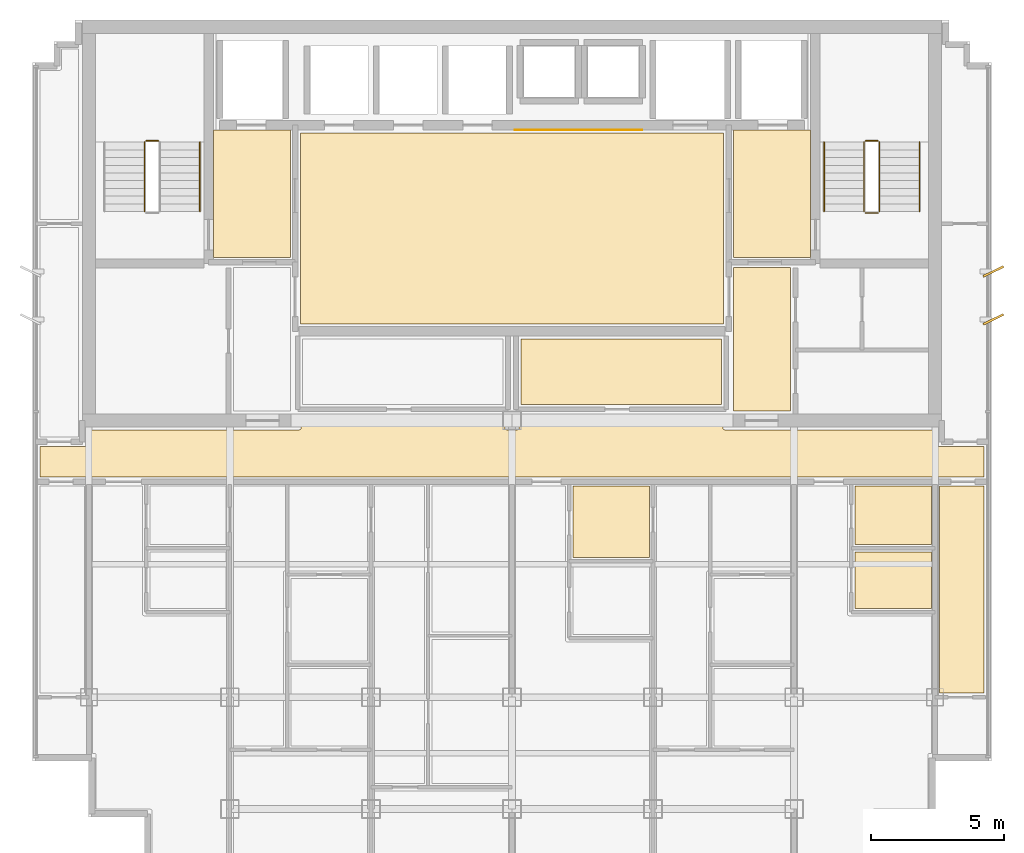
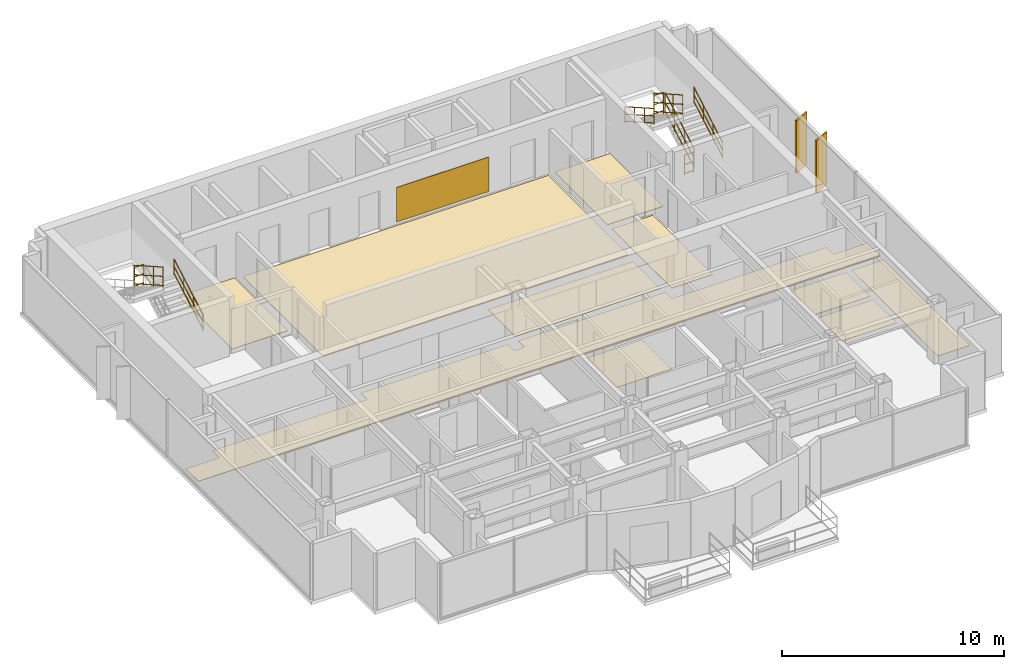
# One storey, part 11 of 11: 11 coverings, 9 railings, 2 shading devices.
"""IFC4 building model written with IfcOpenShell, lengths in metres."""

from ifc_helpers import new_model, si_unit, direction, frame, origin, origin_2d, place, context, subcontext, project, spatial, polyline, rectangle, circle, outline, extrude, source, transform, mapped, material, layer, layer_set, type_object, element, save


model = new_model("IFC4")

# Units and contexts
model_context = context("Model", 3, precision=1e-05, world=origin(), true_north=direction((0.0, 1.0)))
body_context = subcontext(model_context, "Body", "Model", "MODEL_VIEW")
ifc_project = project(units=[si_unit("LENGTHUNIT", "METRE"), si_unit("AREAUNIT", "SQUARE_METRE"), si_unit("VOLUMEUNIT", "CUBIC_METRE"), si_unit("PLANEANGLEUNIT", "RADIAN"), si_unit("MASSUNIT", "GRAM", prefix="KILO")], contexts=[model_context])

# Site, building, storey
site_placement = place(None, origin())
site = spatial("IfcSite", under=ifc_project, at=site_placement, CompositionType="ELEMENT")
building_placement = place(site_placement, origin())
building = spatial("IfcBuilding", under=site, at=building_placement, Name="Qianlan Lanfeng Residences", CompositionType="ELEMENT")
storey_placement = place(building_placement, frame((0.0, 0.0, 256.10009765625)))
storey = spatial("IfcBuildingStorey", under=building, at=storey_placement, Name="L71", CompositionType="ELEMENT", Elevation=256.10009765625)

# Coverings
ifc_material_1 = material(Name="Anodised Bronze Feature Wall Cladding")
ifc_layer_1 = layer(ifc_material_1, 0.02490234375)
ifc_layer_set_1 = layer_set([ifc_layer_1], Name="Anodised Bronze Feature Wall Cladding")
covering_type_1 = type_object("IfcCoveringType", Name="CLD-BRZ-25", PredefinedType="CLADDING", material=ifc_layer_set_1)
covering_1_placement = place(storey_placement, frame((0.0, 0.0, 0.14990234375)))
element("IfcCovering", 1, at=covering_1_placement, inside=storey, type_object=covering_type_1, Name="L71 Lift Lobby Bronze Feature Cladding", PredefinedType="CLADDING", context=body_context, shape_type="SweptSolid", body=[
    extrude(outline(polyline([(26.60009765625, 36.10009765625), (31.39990234375, 36.10009765625), (31.39990234375, 36.125), (26.60009765625, 36.125), (26.60009765625, 36.10009765625)])), origin(), (0.0, 0.0, 1.0), 1.89990234375),
])
ifc_material_2 = material(Name="Honed Taitung Granite Stone Flooring", Category="masonry")
ifc_layer_2 = layer(ifc_material_2, 0.030029296875)
ifc_layer_set_2 = layer_set([ifc_layer_2], Name="Honed Taitung Granite Stone Flooring")
covering_type_2 = type_object("IfcCoveringType", Name="FLR-STN-30", PredefinedType="FLOORING", material=ifc_layer_set_2)
covering_2_placement = place(storey_placement, origin())
element("IfcCovering", 2, at=covering_2_placement, inside=storey, type_object=covering_type_2, Name="L71 Firefighting Lift Lobby Floor Finish", PredefinedType="FLOORING", context=body_context, shape_type="SweptSolid", body=[
    extrude(outline(polyline([(15.2900390625, 31.320068359375), (18.179931640625, 31.320068359375), (18.179931640625, 36.110107421875), (15.2900390625, 36.110107421875), (15.2900390625, 31.320068359375)])), origin(), (0.0, 0.0, 1.0), 0.02978515625),
])
covering_3_placement = place(storey_placement, origin())
element("IfcCovering", 3, at=covering_3_placement, inside=storey, type_object=covering_type_2, Name="L71 Firefighting Lift Lobby Floor Finish", PredefinedType="FLOORING", context=body_context, shape_type="SweptSolid", body=[
    extrude(outline(polyline([(34.820068359375, 31.320068359375), (37.7099609375, 31.320068359375), (37.7099609375, 36.110107421875), (34.820068359375, 36.110107421875), (34.820068359375, 31.320068359375)])), origin(), (0.0, 0.0, 1.0), 0.02978515625),
])
covering_4_placement = place(storey_placement, origin())
element("IfcCovering", 4, at=covering_4_placement, inside=storey, type_object=covering_type_2, Name="L71 Lift Lobby Floor Finish", PredefinedType="FLOORING", context=body_context, shape_type="SweptSolid", body=[
    extrude(outline(polyline([(18.550048828125, 28.820068359375), (34.449951171875, 28.820068359375), (34.449951171875, 36.010009765625), (18.550048828125, 36.010009765625), (18.550048828125, 28.820068359375)])), origin(), (0.0, 0.0, 1.0), 0.02978515625),
])
covering_5_placement = place(storey_placement, origin())
element("IfcCovering", 5, at=covering_5_placement, inside=storey, type_object=covering_type_2, Name="L71 Residential Corridor Floor Finish", PredefinedType="FLOORING", context=body_context, shape_type="SweptSolid", body=[
    extrude(outline(polyline([(8.77001953125, 23.080078125), (44.22998046875, 23.080078125), (44.22998046875, 24.219970703125), (42.5400390625, 24.219970703125), (42.532958984375, 24.219970703125), (42.52587890625, 24.220947265625), (42.52001953125, 24.222900390625), (42.512939453125, 24.22509765625), (42.507080078125, 24.22802734375), (42.5009765625, 24.23193359375), (42.49609375, 24.236083984375), (42.490966796875, 24.240966796875), (42.486083984375, 24.24609375), (42.48193359375, 24.2509765625), (42.47802734375, 24.257080078125), (42.47509765625, 24.262939453125), (42.472900390625, 24.27001953125), (42.470947265625, 24.27587890625), (42.469970703125, 24.282958984375), (42.469970703125, 24.2900390625), (42.469970703125, 24.85009765625), (34.5, 24.85009765625), (34.492919921875, 24.85009765625), (34.486083984375, 24.85107421875), (34.47998046875, 24.85302734375), (34.472900390625, 24.85498046875), (34.467041015625, 24.85791015625), (34.4609375, 24.862060546875), (34.4560546875, 24.865966796875), (34.450927734375, 24.87109375), (34.446044921875, 24.8759765625), (34.44189453125, 24.881103515625), (34.43798828125, 24.886962890625), (34.43505859375, 24.89306640625), (34.43310546875, 24.89990234375), (34.430908203125, 24.906005859375), (34.429931640625, 24.9130859375), (34.429931640625, 24.919921875), (34.429931640625, 25.429931640625), (26.77001953125, 25.429931640625), (26.77001953125, 24.919921875), (26.77001953125, 24.9130859375), (26.76904296875, 24.906005859375), (26.76708984375, 24.89990234375), (26.764892578125, 24.89306640625), (26.761962890625, 24.886962890625), (26.758056640625, 24.881103515625), (26.75390625, 24.8759765625), (26.7490234375, 24.87109375), (26.743896484375, 24.865966796875), (26.739013671875, 24.862060546875), (26.73291015625, 24.85791015625), (26.72705078125, 24.85498046875), (26.719970703125, 24.85302734375), (26.714111328125, 24.85107421875), (26.70703125, 24.85009765625), (26.699951171875, 24.85009765625), (26.300048828125, 24.85009765625), (26.29296875, 24.85009765625), (26.285888671875, 24.85107421875), (26.280029296875, 24.85302734375), (26.27294921875, 24.85498046875), (26.26708984375, 24.85791015625), (26.260986328125, 24.862060546875), (26.256103515625, 24.865966796875), (26.2509765625, 24.87109375), (26.24609375, 24.8759765625), (26.241943359375, 24.881103515625), (26.238037109375, 24.886962890625), (26.235107421875, 24.89306640625), (26.23291015625, 24.89990234375), (26.23095703125, 24.906005859375), (26.22998046875, 24.9130859375), (26.22998046875, 24.919921875), (26.22998046875, 25.429931640625), (18.570068359375, 25.429931640625), (18.570068359375, 24.919921875), (18.570068359375, 24.9130859375), (18.569091796875, 24.906005859375), (18.56689453125, 24.89990234375), (18.56494140625, 24.89306640625), (18.56201171875, 24.886962890625), (18.55810546875, 24.881103515625), (18.553955078125, 24.8759765625), (18.549072265625, 24.87109375), (18.5439453125, 24.865966796875), (18.5390625, 24.862060546875), (18.532958984375, 24.85791015625), (18.527099609375, 24.85498046875), (18.52001953125, 24.85302734375), (18.513916015625, 24.85107421875), (18.507080078125, 24.85009765625), (18.5, 24.85009765625), (10.530029296875, 24.85009765625), (10.530029296875, 24.2900390625), (10.530029296875, 24.282958984375), (10.529052734375, 24.27587890625), (10.527099609375, 24.27001953125), (10.52490234375, 24.262939453125), (10.52197265625, 24.257080078125), (10.51806640625, 24.2509765625), (10.513916015625, 24.24609375), (10.509033203125, 24.240966796875), (10.50390625, 24.236083984375), (10.4990234375, 24.23193359375), (10.492919921875, 24.22802734375), (10.487060546875, 24.22509765625), (10.47998046875, 24.222900390625), (10.47412109375, 24.220947265625), (10.467041015625, 24.219970703125), (10.4599609375, 24.219970703125), (8.77001953125, 24.219970703125), (8.77001953125, 23.080078125)])), origin(), (0.0, 0.0, 1.0), 0.02978515625),
])
covering_6_placement = place(storey_placement, origin())
element("IfcCovering", 6, at=covering_6_placement, inside=storey, type_object=covering_type_2, Name="L71 Lift Lobby Floor Finish", PredefinedType="FLOORING", context=body_context, shape_type="SweptSolid", body=[
    extrude(outline(polyline([(34.830078125, 25.56005859375), (36.969970703125, 25.56005859375), (36.969970703125, 30.949951171875), (34.830078125, 30.949951171875), (34.830078125, 25.56005859375)])), origin(), (0.0, 0.0, 1.0), 0.02978515625),
])
ifc_material_3 = material(Name="Slip-Resistant Porcelain Tile Flooring")
ifc_layer_3 = layer(ifc_material_3, 0.02001953125)
ifc_layer_set_3 = layer_set([ifc_layer_3], Name="Slip-Resistant Porcelain Tile Flooring")
covering_type_3 = type_object("IfcCoveringType", Name="FLR-TIL-20", PredefinedType="FLOORING", material=ifc_layer_set_3)
covering_7_placement = place(storey_placement, origin())
element("IfcCovering", 7, at=covering_7_placement, inside=storey, type_object=covering_type_3, Name="L71 Bathroom Floor Finish", PredefinedType="FLOORING", context=body_context, shape_type="SweptSolid", body=[
    extrude(outline(polyline([(28.7900390625, 20.050048828125), (31.659912109375, 20.050048828125), (31.659912109375, 22.72998046875), (28.7900390625, 22.72998046875), (28.7900390625, 20.050048828125)])), origin(), (0.0, 0.0, 1.0), 0.02001953125),
])
covering_8_placement = place(storey_placement, origin())
element("IfcCovering", 8, at=covering_8_placement, inside=storey, type_object=covering_type_3, Name="L71 Kitchen Floor Finish", PredefinedType="FLOORING", context=body_context, shape_type="SweptSolid", body=[
    extrude(outline(polyline([(39.389892578125, 18.139892578125), (42.260009765625, 18.139892578125), (42.260009765625, 20.260009765625), (39.389892578125, 20.260009765625), (39.389892578125, 18.139892578125)])), origin(), (0.0, 0.0, 1.0), 0.02001953125),
])
covering_9_placement = place(storey_placement, origin())
element("IfcCovering", 9, at=covering_9_placement, inside=storey, type_object=covering_type_3, Name="L71 Bathroom Floor Finish", PredefinedType="FLOORING", context=body_context, shape_type="SweptSolid", body=[
    extrude(outline(polyline([(39.389892578125, 20.5400390625), (42.260009765625, 20.5400390625), (42.260009765625, 22.72998046875), (39.389892578125, 22.72998046875), (39.389892578125, 20.5400390625)])), origin(), (0.0, 0.0, 1.0), 0.02001953125),
])
ifc_material_4 = material(Name="Engineered Smoked Oak Timber Flooring", Category="wood")
ifc_layer_4 = layer(ifc_material_4, 0.02197265625)
ifc_layer_set_4 = layer_set([ifc_layer_4], Name="Engineered Smoked Oak Timber Flooring")
covering_type_4 = type_object("IfcCoveringType", Name="FLR-TIM-22", PredefinedType="FLOORING", material=ifc_layer_set_4)
covering_10_placement = place(storey_placement, origin())
element("IfcCovering", 10, at=covering_10_placement, inside=storey, type_object=covering_type_4, Name="L71 Panoramic Sky Foyer Salon Floor Finish", PredefinedType="FLOORING", context=body_context, shape_type="SweptSolid", body=[
    extrude(outline(polyline([(26.830078125, 25.800048828125), (34.3701171875, 25.800048828125), (34.3701171875, 28.2548828125), (26.830078125, 28.2548828125), (26.830078125, 25.800048828125)])), origin(), (0.0, 0.0, 1.0), 0.02197265625),
])
covering_11_placement = place(storey_placement, origin())
element("IfcCovering", 11, at=covering_11_placement, inside=storey, type_object=covering_type_4, Name="L71 Private Study Floor Finish", PredefinedType="FLOORING", context=body_context, shape_type="SweptSolid", body=[
    extrude(outline(polyline([(44.22998046875, 22.72998046875), (42.56005859375, 22.72998046875), (42.56005859375, 14.949951171875), (44.22998046875, 14.949951171875), (44.22998046875, 22.72998046875)])), origin(), (0.0, 0.0, 1.0), 0.02197265625),
])

# Railings
ifc_material_5 = material(Name="Painted Galvanised Steel Guardrail", Category="steel")
railing_type_1 = type_object("IfcRailingType", Name="GR-ST-1120", PredefinedType="GUARDRAIL", material=ifc_material_5)
railing_1_placement = place(storey_placement, frame((13.219970703125, 35.7099609375, 1.64990234375)))
element("IfcRailing", 12, at=railing_1_placement, inside=storey, type_object=railing_type_1, Name="L71 ST-1 stair guard 2", PredefinedType="GUARDRAIL", context=body_context, shape_type="SweptSolid", body=[
    extrude(circle(Radius=0.02392578125, at=origin_2d()), frame((0.0, 0.0, 0.083984375), z_axis=(-1.0, 0.0, 0.0), x_axis=(0.0, -1.0, 0.0)), (0.0, 0.0, 1.0), 0.47998046875),
    extrude(circle(Radius=0.02392578125, at=origin_2d()), frame((0.0, 0.0, 0.58251953125), z_axis=(-1.0, 0.0, 0.0), x_axis=(0.0, -1.0, 0.0)), (0.0, 0.0, 1.0), 0.47998046875),
    extrude(circle(Radius=0.02392578125, at=origin_2d()), frame((0.0, 0.0, 1.09619140625), z_axis=(-1.0, 0.0, 0.0), x_axis=(0.0, -1.0, 0.0)), (0.0, 0.0, 1.0), 0.47998046875),
    extrude(circle(Radius=0.02099609375, at=origin_2d()), origin(), (0.0, 0.0, 1.0), 1.072021484375),
    extrude(circle(Radius=0.02099609375, at=origin_2d()), frame((-0.47998046875, 0.0, 0.0)), (0.0, 0.0, 1.0), 1.072021484375),
])
railing_2_placement = place(storey_placement, frame((12.68994140625, 35.659912109375, 1.81494140625)))
element("IfcRailing", 13, at=railing_2_placement, inside=storey, type_object=railing_type_1, Name="L71 ST-1 stair guard 3", PredefinedType="GUARDRAIL", context=body_context, shape_type="SweptSolid", body=[
    extrude(circle(Radius=0.02392578125, at=origin_2d()), frame((0.0, 0.0, 0.083984375), z_axis=(0.0, -0.869172267526, 0.494509422927), x_axis=(1.0, 0.0, 0.0)), (0.0, 0.0, 1.0), 3.002685546875),
    extrude(circle(Radius=0.02392578125, at=origin_2d()), frame((0.0, 0.0, 0.58251953125), z_axis=(0.0, -0.869172267526, 0.494509422927), x_axis=(1.0, 0.0, 0.0)), (0.0, 0.0, 1.0), 3.002685546875),
    extrude(circle(Radius=0.02392578125, at=origin_2d()), frame((0.0, 0.0, 1.09619140625), z_axis=(0.0, -0.869172267526, 0.494509422927), x_axis=(1.0, 0.0, 0.0)), (0.0, 0.0, 1.0), 3.002685546875),
    extrude(circle(Radius=0.02099609375, at=origin_2d()), origin(), (0.0, 0.0, 1.0), 1.072021484375),
    extrude(circle(Radius=0.02099609375, at=origin_2d()), frame((0.0, -0.869873046875, 0.494873046875)), (0.0, 0.0, 1.0), 1.072021484375),
    extrude(circle(Radius=0.02099609375, at=origin_2d()), frame((0.0, -1.739990234375, 0.989990234375)), (0.0, 0.0, 1.0), 1.072021484375),
    extrude(circle(Radius=0.02099609375, at=origin_2d()), frame((0.0, -2.60986328125, 1.48486328125)), (0.0, 0.0, 1.0), 1.072021484375),
])
railing_3_placement = place(storey_placement, frame((40.31005859375, 33.050048828125, 0.164794921875)))
element("IfcRailing", 14, at=railing_3_placement, inside=storey, type_object=railing_type_1, Name="L71 ST-2 stair guard 1", PredefinedType="GUARDRAIL", context=body_context, shape_type="SweptSolid", body=[
    extrude(circle(Radius=0.02392578125, at=origin_2d()), frame((0.0, 0.0, 0.083984375), z_axis=(0.0, 0.869137319866, 0.494570843475), x_axis=(-1.0, 0.0, 0.0)), (0.0, 0.0, 1.0), 3.0029296875),
    extrude(circle(Radius=0.02392578125, at=origin_2d()), frame((0.0, 0.0, 0.58251953125), z_axis=(0.0, 0.869137319866, 0.494570843475), x_axis=(-1.0, 0.0, 0.0)), (0.0, 0.0, 1.0), 3.0029296875),
    extrude(circle(Radius=0.02392578125, at=origin_2d()), frame((0.0, 0.0, 1.09619140625), z_axis=(0.0, 0.869137319866, 0.494570843475), x_axis=(-1.0, 0.0, 0.0)), (0.0, 0.0, 1.0), 3.0029296875),
    extrude(circle(Radius=0.02099609375, at=origin_2d()), origin(), (0.0, 0.0, 1.0), 1.072021484375),
    extrude(circle(Radius=0.02099609375, at=origin_2d()), frame((0.0, 0.869873046875, 0.4951171875)), (0.0, 0.0, 1.0), 1.072021484375),
    extrude(circle(Radius=0.02099609375, at=origin_2d()), frame((0.0, 1.739990234375, 0.989990234375)), (0.0, 0.0, 1.0), 1.072021484375),
    extrude(circle(Radius=0.02099609375, at=origin_2d()), frame((0.0, 2.60986328125, 1.485107421875)), (0.0, 0.0, 1.0), 1.072021484375),
])
railing_4_placement = place(storey_placement, frame((40.260009765625, 35.7099609375, 1.64990234375)))
element("IfcRailing", 15, at=railing_4_placement, inside=storey, type_object=railing_type_1, Name="L71 ST-2 stair guard 2", PredefinedType="GUARDRAIL", context=body_context, shape_type="SweptSolid", body=[
    extrude(circle(Radius=0.02392578125, at=origin_2d()), frame((0.0, 0.0, 0.083984375), z_axis=(-1.0, 0.0, 0.0), x_axis=(0.0, -1.0, 0.0)), (0.0, 0.0, 1.0), 0.47998046875),
    extrude(circle(Radius=0.02392578125, at=origin_2d()), frame((0.0, 0.0, 0.58251953125), z_axis=(-1.0, 0.0, 0.0), x_axis=(0.0, -1.0, 0.0)), (0.0, 0.0, 1.0), 0.47998046875),
    extrude(circle(Radius=0.02392578125, at=origin_2d()), frame((0.0, 0.0, 1.09619140625), z_axis=(-1.0, 0.0, 0.0), x_axis=(0.0, -1.0, 0.0)), (0.0, 0.0, 1.0), 0.47998046875),
    extrude(circle(Radius=0.02099609375, at=origin_2d()), origin(), (0.0, 0.0, 1.0), 1.072021484375),
    extrude(circle(Radius=0.02099609375, at=origin_2d()), frame((-0.47998046875, 0.0, 0.0)), (0.0, 0.0, 1.0), 1.072021484375),
])
railing_5_placement = place(storey_placement, frame((39.72998046875, 35.659912109375, 1.81494140625)))
element("IfcRailing", 16, at=railing_5_placement, inside=storey, type_object=railing_type_1, Name="L71 ST-2 stair guard 3", PredefinedType="GUARDRAIL", context=body_context, shape_type="SweptSolid", body=[
    extrude(circle(Radius=0.02392578125, at=origin_2d()), frame((0.0, 0.0, 0.083984375), z_axis=(0.0, -0.869172267526, 0.494509422927), x_axis=(1.0, 0.0, 0.0)), (0.0, 0.0, 1.0), 3.002685546875),
    extrude(circle(Radius=0.02392578125, at=origin_2d()), frame((0.0, 0.0, 0.58251953125), z_axis=(0.0, -0.869172267526, 0.494509422927), x_axis=(1.0, 0.0, 0.0)), (0.0, 0.0, 1.0), 3.002685546875),
    extrude(circle(Radius=0.02392578125, at=origin_2d()), frame((0.0, 0.0, 1.09619140625), z_axis=(0.0, -0.869172267526, 0.494509422927), x_axis=(1.0, 0.0, 0.0)), (0.0, 0.0, 1.0), 3.002685546875),
    extrude(circle(Radius=0.02099609375, at=origin_2d()), origin(), (0.0, 0.0, 1.0), 1.072021484375),
    extrude(circle(Radius=0.02099609375, at=origin_2d()), frame((0.0, -0.869873046875, 0.494873046875)), (0.0, 0.0, 1.0), 1.072021484375),
    extrude(circle(Radius=0.02099609375, at=origin_2d()), frame((0.0, -1.739990234375, 0.989990234375)), (0.0, 0.0, 1.0), 1.072021484375),
    extrude(circle(Radius=0.02099609375, at=origin_2d()), frame((0.0, -2.60986328125, 1.48486328125)), (0.0, 0.0, 1.0), 1.072021484375),
])
railing_6_placement = place(storey_placement, frame((40.260009765625, 33.0, 0.0)))
element("IfcRailing", 17, at=railing_6_placement, inside=storey, type_object=railing_type_1, Name="L71 ST-2 stair guard 4", PredefinedType="GUARDRAIL", context=body_context, shape_type="SweptSolid", body=[
    extrude(circle(Radius=0.02392578125, at=origin_2d()), frame((0.0, 0.0, 0.083984375), z_axis=(-1.0, 0.0, 0.0), x_axis=(0.0, -1.0, 0.0)), (0.0, 0.0, 1.0), 0.47998046875),
    extrude(circle(Radius=0.02392578125, at=origin_2d()), frame((0.0, 0.0, 0.58251953125), z_axis=(-1.0, 0.0, 0.0), x_axis=(0.0, -1.0, 0.0)), (0.0, 0.0, 1.0), 0.47998046875),
    extrude(circle(Radius=0.02392578125, at=origin_2d()), frame((0.0, 0.0, 1.09619140625), z_axis=(-1.0, 0.0, 0.0), x_axis=(0.0, -1.0, 0.0)), (0.0, 0.0, 1.0), 0.47998046875),
    extrude(circle(Radius=0.02099609375, at=origin_2d()), origin(), (0.0, 0.0, 1.0), 1.072021484375),
    extrude(circle(Radius=0.02099609375, at=origin_2d()), frame((-0.47998046875, 0.0, 0.0)), (0.0, 0.0, 1.0), 1.072021484375),
])
ifc_material_6 = material(Name="Brushed Stainless Steel Handrail", Category="steel")
railing_type_2 = type_object("IfcRailingType", Name="HR-ST-920", PredefinedType="HANDRAIL", material=ifc_material_6)
for number, where, name in (
    (18, (14.77001953125, 33.050048828125, 0.164794921875), "L71 ST-1 stair handrail 1"),
    (19, (41.81005859375, 33.050048828125, 0.164794921875), "L71 ST-2 stair handrail 1"),
):
    element("IfcRailing", number, at=place(storey_placement, frame(where)), inside=storey, type_object=railing_type_2, Name=name, PredefinedType="HANDRAIL", context=body_context, shape_type="SweptSolid", body=[
        extrude(circle(Radius=0.02392578125, at=origin_2d()), frame((0.0, 0.0, 0.083984375), z_axis=(0.0, 0.869137319866, 0.494570843475), x_axis=(-1.0, 0.0, 0.0)), (0.0, 0.0, 1.0), 3.0029296875),
        extrude(circle(Radius=0.02392578125, at=origin_2d()), frame((0.0, 0.0, 0.468017578125), z_axis=(0.0, 0.869137319866, 0.494570843475), x_axis=(-1.0, 0.0, 0.0)), (0.0, 0.0, 1.0), 3.0029296875),
        extrude(circle(Radius=0.02392578125, at=origin_2d()), frame((0.0, 0.0, 0.8759765625), z_axis=(0.0, 0.869137319866, 0.494570843475), x_axis=(-1.0, 0.0, 0.0)), (0.0, 0.0, 1.0), 3.0029296875),
        extrude(circle(Radius=0.02099609375, at=origin_2d()), origin(), (0.0, 0.0, 1.0), 0.851806640625),
        extrude(circle(Radius=0.02099609375, at=origin_2d()), frame((0.0, 0.869873046875, 0.4951171875)), (0.0, 0.0, 1.0), 0.851806640625),
        extrude(circle(Radius=0.02099609375, at=origin_2d()), frame((0.0, 1.739990234375, 0.989990234375)), (0.0, 0.0, 1.0), 0.851806640625),
        extrude(circle(Radius=0.02099609375, at=origin_2d()), frame((0.0, 2.60986328125, 1.485107421875)), (0.0, 0.0, 1.0), 0.851806640625),
    ])
railing_7_placement = place(storey_placement, frame((38.22998046875, 35.659912109375, 1.81494140625)))
element("IfcRailing", 20, at=railing_7_placement, inside=storey, type_object=railing_type_2, Name="L71 ST-2 stair handrail 2", PredefinedType="HANDRAIL", context=body_context, shape_type="SweptSolid", body=[
    extrude(circle(Radius=0.02392578125, at=origin_2d()), frame((0.0, 0.0, 0.083984375), z_axis=(0.0, -0.869172267526, 0.494509422927), x_axis=(1.0, 0.0, 0.0)), (0.0, 0.0, 1.0), 3.002685546875),
    extrude(circle(Radius=0.02392578125, at=origin_2d()), frame((0.0, 0.0, 0.468017578125), z_axis=(0.0, -0.869172267526, 0.494509422927), x_axis=(1.0, 0.0, 0.0)), (0.0, 0.0, 1.0), 3.002685546875),
    extrude(circle(Radius=0.02392578125, at=origin_2d()), frame((0.0, 0.0, 0.8759765625), z_axis=(0.0, -0.869172267526, 0.494509422927), x_axis=(1.0, 0.0, 0.0)), (0.0, 0.0, 1.0), 3.002685546875),
    extrude(circle(Radius=0.02099609375, at=origin_2d()), origin(), (0.0, 0.0, 1.0), 0.851806640625),
    extrude(circle(Radius=0.02099609375, at=origin_2d()), frame((0.0, -0.869873046875, 0.494873046875)), (0.0, 0.0, 1.0), 0.851806640625),
    extrude(circle(Radius=0.02099609375, at=origin_2d()), frame((0.0, -1.739990234375, 0.989990234375)), (0.0, 0.0, 1.0), 0.851806640625),
    extrude(circle(Radius=0.02099609375, at=origin_2d()), frame((0.0, -2.60986328125, 1.48486328125)), (0.0, 0.0, 1.0), 0.851806640625),
])

# Shading devices
ifc_material_7 = material(Name="Anodised Bronze Aluminium Solar Fin", Category="aluminium")
shading_device_type = type_object("IfcShadingDeviceType", Name="FIN-BRZ-850", PredefinedType="SHUTTER", material=ifc_material_7)
shared_shape = source(origin(), body_context, "Body", "SweptSolid", [
    extrude(rectangle(XDim=0.85009765625, YDim=0.080078125, at=origin_2d()), origin(), (0.0, 0.0, 1.0), 2.89990234375),
])
for number, where, z_axis, x_axis, name in (
    (21, (44.590087890625, 29.0, 0.0), (0.0, 0.0, 1.0), (0.898794046299, 0.438371146789, 0.0), "L71 Raked Bronze Solar Fin E1"),
    (22, (44.590087890625, 30.800048828125, 0.0), (0.0, 0.0, 1.0), (0.898794046299, 0.438371146789, 0.0), "L71 Raked Bronze Solar Fin E2"),
):
    element("IfcShadingDevice", number, at=place(storey_placement, frame(where, z_axis=z_axis, x_axis=x_axis)), inside=storey, type_object=shading_device_type, Name=name, PredefinedType="SHUTTER", context=body_context, shape_type="MappedRepresentation", body=[
        mapped(shared_shape, transform((0.0, 0.0, 0.0), scale=1.0)),
    ])

save(model, "model.ifc")
